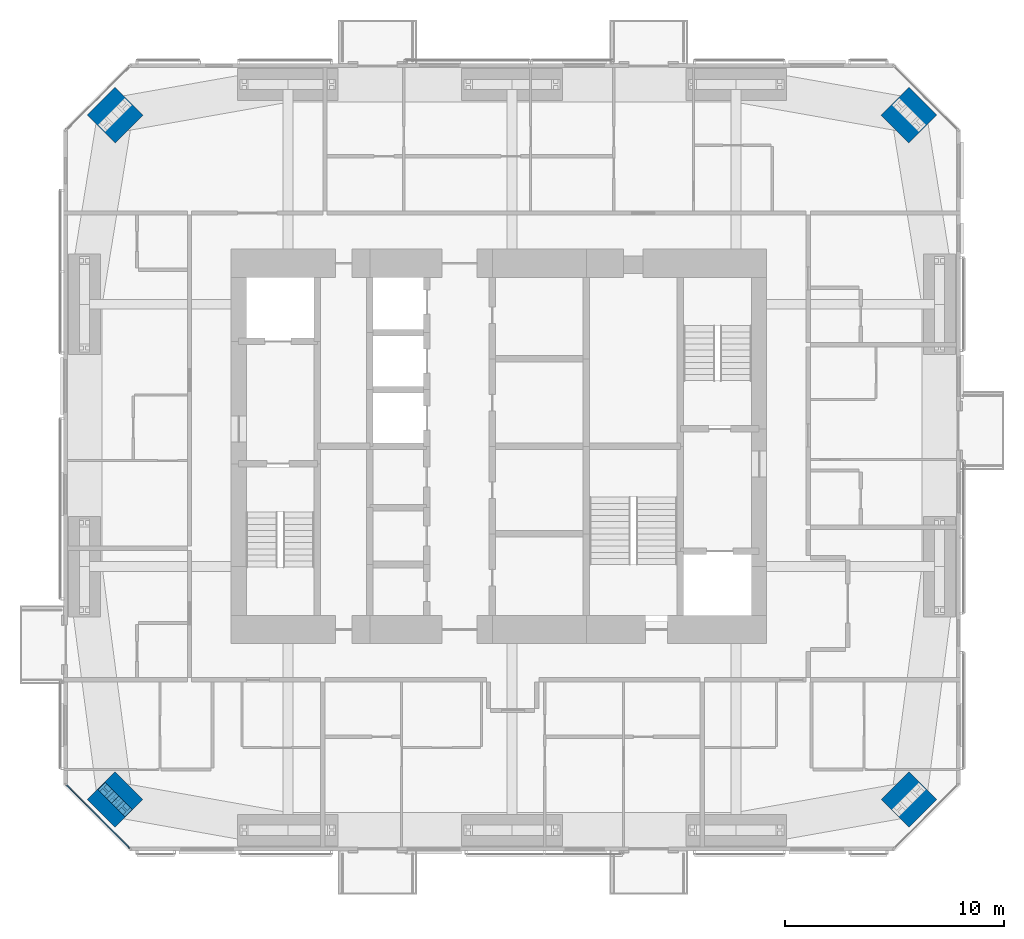
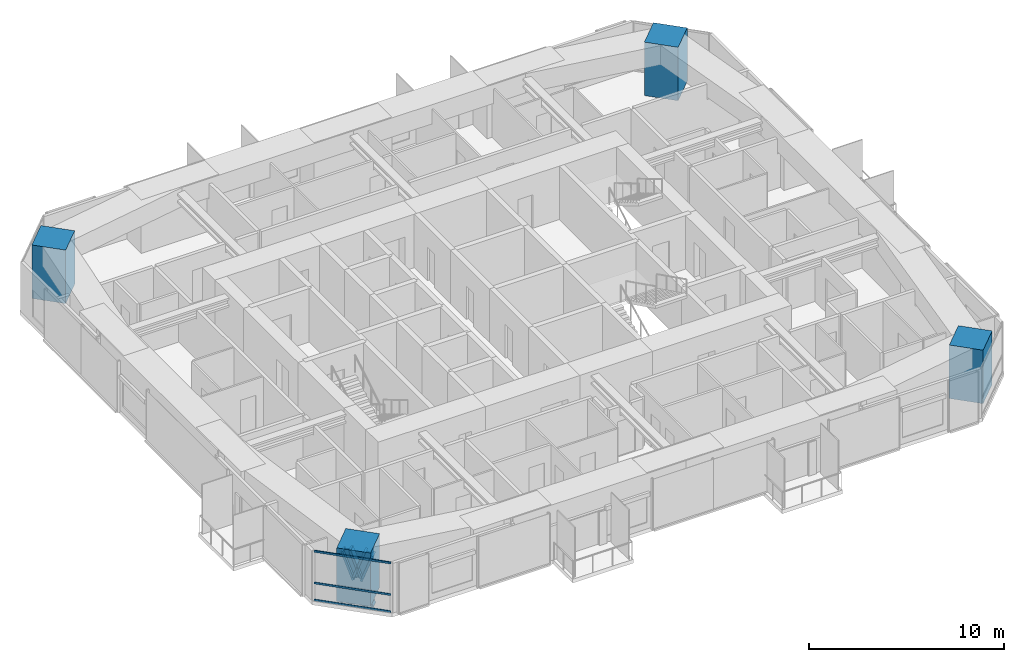
# One storey, part 1 of 22: 7 members, 4 columns, 1 element without a shape of its own.
"""IFC4 building model written with IfcOpenShell, lengths in metres."""

from ifc_helpers import new_model, si_unit, direction, frame, origin, origin_2d, place, context, subcontext, project, spatial, rectangle, i_section, extrude, material, material_profile, profile_set, type_object, element, aggregate, save


model = new_model("IFC4")

# Units and contexts
model_context = context("Model", 3, precision=1e-05, world=origin(), true_north=direction((0.0, 1.0)))
body_context = subcontext(model_context, "Body", "Model", "MODEL_VIEW")
ifc_project = project(units=[si_unit("LENGTHUNIT", "METRE"), si_unit("AREAUNIT", "SQUARE_METRE"), si_unit("VOLUMEUNIT", "CUBIC_METRE"), si_unit("PLANEANGLEUNIT", "RADIAN"), si_unit("MASSUNIT", "GRAM", prefix="KILO")], contexts=[model_context])

# Site, building, storey
site_placement = place(None, origin())
site = spatial("IfcSite", under=ifc_project, at=site_placement, CompositionType="ELEMENT")
building_placement = place(site_placement, origin())
building = spatial("IfcBuilding", under=site, at=building_placement, Name="Jalousie Tower", CompositionType="ELEMENT")
storey_placement = place(building_placement, frame((0.0, 0.0, 174.449951171875)))
storey = spatial("IfcBuildingStorey", under=building, at=storey_placement, Name="L47", CompositionType="ELEMENT", Elevation=174.449951171875)

# Columns
ifc_material_1 = material(Name="Concrete f'c 120 MPa", Category="concrete")
ifc_material_profile_1 = material_profile(ifc_material_1, rectangle(XDim=1.800048828125, YDim=1.800048828125, at=origin_2d()), Name="RC 1800x1800")
ifc_profile_set_1 = profile_set([ifc_material_profile_1], Name="Concrete f'c 120 MPa")
column_type = type_object("IfcColumnType", Name="RC COLUMN 1800x1800", PredefinedType="COLUMN", material=ifc_profile_set_1)
for number, where, z_axis, x_axis, name in (
    (1, (14.348388671875, 2.348388671875, 0.0), (0.0, 0.0, 1.0), (0.707106781187, 0.707106781187, 0.0), "Column 01 L47"),
    (2, (50.651611328125, 2.348388671875, 0.0), (0.0, 0.0, 1.0), (0.707106781187, 0.707106781187, 0.0), "Column 05 L47"),
    (3, (50.651611328125, 33.651611328125, 0.0), (0.0, 0.0, 1.0), (0.707106781187, 0.707106781187, 0.0), "Column 08 L47"),
    (4, (14.348388671875, 33.651611328125, 0.0), (0.0, 0.0, 1.0), (0.707106781187, 0.707106781187, 0.0), "Column 12 L47"),
):
    element("IfcColumn", number, at=place(storey_placement, frame(where, z_axis=z_axis, x_axis=x_axis)), inside=storey, type_object=column_type, Name=name, PredefinedType="COLUMN", context=body_context, shape_type="SweptSolid", body=[
        extrude(rectangle(XDim=1.800048828125, YDim=1.800048828125, at=origin_2d()), origin(), (0.0, 0.0, 1.0), 3.35009765625),
    ])

# Curtain wall, members
ifc_material_2 = material(Name="Aluminium curtain wall", Category="aluminium")
curtain_wall_type = type_object("IfcCurtainWallType", Name="CORNER WINDOW WALL", PredefinedType="USERDEFINED", material=ifc_material_2)
curtain_wall_placement = place(storey_placement, origin())
curtain_wall = element("IfcCurtainWall", 5, at=curtain_wall_placement, inside=storey, type_object=curtain_wall_type, Name="Corner Window Wall L47 8", ObjectType="CORNER WINDOW WALL", PredefinedType="USERDEFINED")
ifc_material_3 = material(Name="Aluminium transom", Category="aluminium")
ifc_material_profile_2 = material_profile(ifc_material_3, rectangle(XDim=0.06005859375, YDim=0.1201171875, at=origin_2d()), Name="TRANSOM 60x120")
ifc_profile_set_2 = profile_set([ifc_material_profile_2], Name="Aluminium transom")
member_type_1 = type_object("IfcMemberType", Name="CORNER WINDOW WALL TRANSOM", PredefinedType="USERDEFINED", material=ifc_profile_set_2)
member_1_placement = place(storey_placement, frame((12.1298828125, 3.0087890625, 0.030029296875), z_axis=(0.707106781187, -0.707106781187, 0.0), x_axis=(0.707106781187, 0.707106781187, 0.0)))
member_1 = element("IfcMember", 6, at=member_1_placement, type_object=member_type_1, Name="CW-C transom 1.1", ObjectType="TRANSOM", PredefinedType="USERDEFINED", context=body_context, shape_type="SweptSolid", body=[
    extrude(rectangle(XDim=0.06005859375, YDim=0.1201171875, at=origin_2d()), origin(), (0.0, 0.0, 1.0), 4.0712890625),
])
member_2_placement = place(storey_placement, frame((12.1298828125, 3.0087890625, 1.10009765625), z_axis=(0.707106781187, -0.707106781187, 0.0), x_axis=(0.707106781187, 0.707106781187, 0.0)))
member_2 = element("IfcMember", 7, at=member_2_placement, type_object=member_type_1, Name="CW-C transom 1.2", ObjectType="TRANSOM", PredefinedType="USERDEFINED", context=body_context, shape_type="SweptSolid", body=[
    extrude(rectangle(XDim=0.06005859375, YDim=0.1201171875, at=origin_2d()), origin(), (0.0, 0.0, 1.0), 4.0712890625),
])
member_3_placement = place(storey_placement, frame((12.1298828125, 3.0087890625, 3.080078125), z_axis=(0.707106781187, -0.707106781187, 0.0), x_axis=(0.707106781187, 0.707106781187, 0.0)))
member_3 = element("IfcMember", 8, at=member_3_placement, type_object=member_type_1, Name="CW-C transom 1.3", ObjectType="TRANSOM", PredefinedType="USERDEFINED", context=body_context, shape_type="SweptSolid", body=[
    extrude(rectangle(XDim=0.06005859375, YDim=0.1201171875, at=origin_2d()), origin(), (0.0, 0.0, 1.0), 4.0712890625),
])
aggregate(curtain_wall, [member_1, member_2, member_3])

# Members
ifc_material_4 = material(Name="Steel ASTM A992 Grade 50", Category="steel")
ifc_material_profile_3 = material_profile(ifc_material_4, i_section(OverallWidth=0.472412109375, OverallDepth=0.5791015625, WebThickness=0.094970703125, FlangeThickness=0.1298828125, at=origin_2d()), Name="W14X808")
ifc_profile_set_3 = profile_set([ifc_material_profile_3], Name="Steel ASTM A992 Grade 50")
member_type_2 = type_object("IfcMemberType", Name="PERIMETER BRACE W14X808", PredefinedType="BRACE", material=ifc_profile_set_3)
member_4_placement = place(storey_placement, frame((13.92431640625, 2.772705078125, -0.599853515625), z_axis=(0.238376334543, -0.238513569048, 0.941428701766), x_axis=(0.707310235866, 0.706903267951, 0.0)))
element("IfcMember", 9, at=member_4_placement, inside=storey, type_object=member_type_2, Name="Perimeter brace 01 L47 part 1", PredefinedType="BRACE", context=body_context, shape_type="SweptSolid", body=[
    extrude(i_section(OverallWidth=0.472412109375, OverallDepth=0.5791015625, WebThickness=0.094970703125, FlangeThickness=0.1298828125, at=origin_2d()), origin(), (0.0, 0.0, 1.0), 1.779052734375),
])
member_5_placement = place(storey_placement, frame((14.348388671875, 2.348388671875, 1.074951171875), z_axis=(0.238482757655, -0.238345540878, 0.941444303953), x_axis=(0.706903267951, 0.707310235866, 0.0)))
element("IfcMember", 10, at=member_5_placement, inside=storey, type_object=member_type_2, Name="Perimeter brace 01 L47 part 2", PredefinedType="BRACE", context=body_context, shape_type="SweptSolid", body=[
    extrude(i_section(OverallWidth=0.472412109375, OverallDepth=0.5791015625, WebThickness=0.094970703125, FlangeThickness=0.1298828125, at=origin_2d()), origin(), (0.0, 0.0, 1.0), 1.779296875),
])
member_6_placement = place(storey_placement, frame((14.772705078125, 1.92431640625, -0.599853515625), z_axis=(-0.238513569048, 0.238376334543, 0.941428701766), x_axis=(-0.706903267951, -0.707310235866, 0.0)))
element("IfcMember", 11, at=member_6_placement, inside=storey, type_object=member_type_2, Name="Perimeter brace 01 L47 part 3", PredefinedType="BRACE", context=body_context, shape_type="SweptSolid", body=[
    extrude(i_section(OverallWidth=0.472412109375, OverallDepth=0.5791015625, WebThickness=0.094970703125, FlangeThickness=0.1298828125, at=origin_2d()), origin(), (0.0, 0.0, 1.0), 1.779052734375),
])
member_7_placement = place(storey_placement, frame((14.348388671875, 2.348388671875, 1.074951171875), z_axis=(-0.238345540878, 0.238482757655, 0.941444303953), x_axis=(-0.707310235866, -0.706903267951, 0.0)))
element("IfcMember", 12, at=member_7_placement, inside=storey, type_object=member_type_2, Name="Perimeter brace 01 L47 part 4", PredefinedType="BRACE", context=body_context, shape_type="SweptSolid", body=[
    extrude(i_section(OverallWidth=0.472412109375, OverallDepth=0.5791015625, WebThickness=0.094970703125, FlangeThickness=0.1298828125, at=origin_2d()), origin(), (0.0, 0.0, 1.0), 1.779296875),
])

save(model, "model.ifc")
